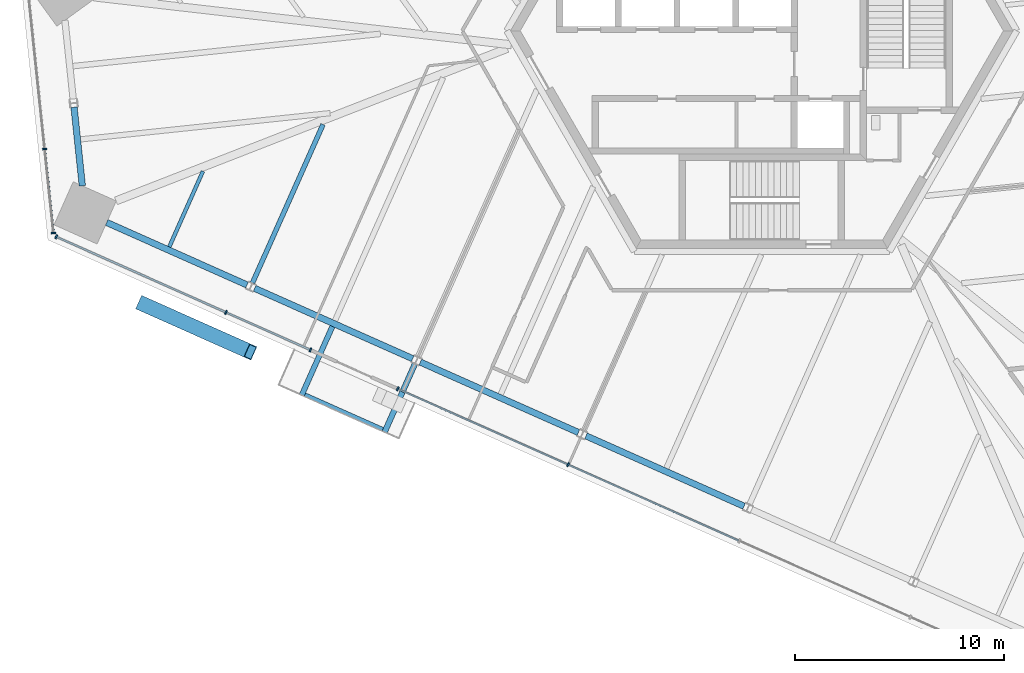
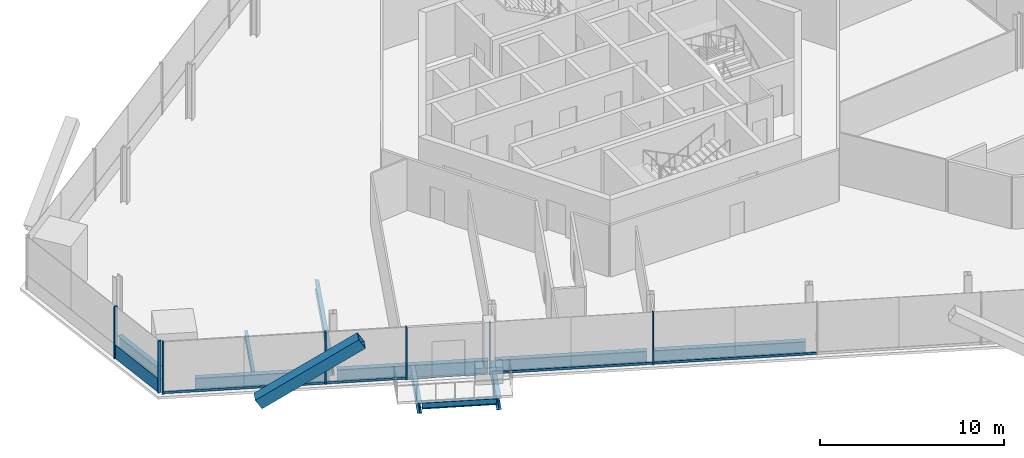
# One storey, part 3 of 17: 13 members, 10 beams, 3 elements without a shape of their own.
"""IFC4 building model written with IfcOpenShell, lengths in metres."""

from ifc_helpers import new_model, si_unit, direction, frame, origin, origin_2d, place, context, subcontext, project, spatial, rectangle, hollow_rectangle, i_section, extrude, source, transform, mapped, material, material_profile, profile_set, type_object, element, aggregate, save


model = new_model("IFC4")

# Units and contexts
model_context = context("Model", 3, precision=1e-05, world=origin(), true_north=direction((0.0, 1.0)))
body_context = subcontext(model_context, "Body", "Model", "MODEL_VIEW")
ifc_project = project(units=[si_unit("LENGTHUNIT", "METRE"), si_unit("AREAUNIT", "SQUARE_METRE"), si_unit("VOLUMEUNIT", "CUBIC_METRE"), si_unit("PLANEANGLEUNIT", "RADIAN"), si_unit("MASSUNIT", "GRAM", prefix="KILO")], contexts=[model_context])

# Site, building, storey
site_placement = place(None, origin())
site = spatial("IfcSite", under=ifc_project, at=site_placement, CompositionType="ELEMENT")
building_placement = place(site_placement, origin())
building = spatial("IfcBuilding", under=site, at=building_placement, Name="Triune Harvest Tower", CompositionType="ELEMENT")
storey_placement = place(building_placement, frame((0.0, 0.0, 62.10009765625)))
storey = spatial("IfcBuildingStorey", under=building, at=storey_placement, Name="L14", CompositionType="ELEMENT", Elevation=62.10009765625)

# Beams
ifc_material_1 = material(Name="Steel ASTM A992 Gr 50", Category="steel")
ifc_material_profile_1 = material_profile(ifc_material_1, i_section(OverallWidth=0.3046875, OverallDepth=0.914306640625, WebThickness=0.0166015625, FlangeThickness=0.02587890625, at=origin_2d()), Name="W36x160")
ifc_profile_set_1 = profile_set([ifc_material_profile_1], Name="Steel ASTM A992 Gr 50")
beam_type_1 = type_object("IfcBeamType", Name="SB-1 Spandrel beam W36x160", PredefinedType="SPANDREL", material=ifc_profile_set_1)
shared_shape_1 = source(origin(), body_context, "Body", "SweptSolid", [
    extrude(i_section(OverallWidth=0.3046875, OverallDepth=0.914306640625, WebThickness=0.0166015625, FlangeThickness=0.02587890625, at=origin_2d()), origin(), (0.0, 0.0, 1.0), 7.337890625),
])
beam_1_placement = place(storey_placement, frame((-31.29150390625, -9.156982421875, -0.6171875), z_axis=(0.913558923036, -0.40670639796, 0.0), x_axis=(0.40670639796, 0.913558923036, 0.0)))
element("IfcBeam", 1, at=beam_1_placement, inside=storey, type_object=beam_type_1, Name="beam/L14/SB17", PredefinedType="SPANDREL", context=body_context, shape_type="MappedRepresentation", body=[
    mapped(shared_shape_1, transform((0.0, 0.0, 0.0), scale=1.0)),
])
shared_shape_2 = source(origin(), body_context, "Body", "SweptSolid", [
    extrude(i_section(OverallWidth=0.3046875, OverallDepth=0.914306640625, WebThickness=0.0166015625, FlangeThickness=0.02587890625, at=origin_2d()), origin(), (0.0, 0.0, 1.0), 8.263427734375),
])
for number, where, z_axis, x_axis, name in (
    (2, (-24.2236328125, -12.3037109375, -0.6171875), (0.913544537455, -0.406738709846, 0.0), (0.406738709846, 0.913544537455, 0.0), "beam/L14/SB18"),
    (3, (-16.310302734375, -15.826904296875, -0.6171875), (0.913544537455, -0.406738709846, 0.0), (0.406738709846, 0.913544537455, 0.0), "beam/L14/SB19"),
    (4, (-8.39697265625, -19.35009765625, -0.6171875), (0.913544537455, -0.406738709846, 0.0), (0.406738709846, 0.913544537455, 0.0), "beam/L14/SB20"),
):
    element("IfcBeam", number, at=place(storey_placement, frame(where, z_axis=z_axis, x_axis=x_axis)), inside=storey, type_object=beam_type_1, Name=name, PredefinedType="SPANDREL", context=body_context, shape_type="MappedRepresentation", body=[
        mapped(shared_shape_2, transform((0.0, 0.0, 0.0), scale=1.0)),
    ])
shared_shape_3 = source(origin(), body_context, "Body", "SweptSolid", [
    extrude(i_section(OverallWidth=0.3046875, OverallDepth=0.914306640625, WebThickness=0.0166015625, FlangeThickness=0.02587890625, at=origin_2d()), origin(), (0.0, 0.0, 1.0), 3.775146484375),
])
beam_2_placement = place(storey_placement, frame((-32.849609375, -3.653076171875, -0.6171875), z_axis=(0.104573690763, -0.994517140727, 0.0), x_axis=(0.994517140727, 0.104573690763, 0.0)))
element("IfcBeam", 5, at=beam_2_placement, inside=storey, type_object=beam_type_1, Name="beam/L14/SB16", PredefinedType="SPANDREL", context=body_context, shape_type="MappedRepresentation", body=[
    mapped(shared_shape_3, transform((0.0, 0.0, 0.0), scale=1.0)),
])
ifc_material_2 = material(Name="Steel ASTM A992 Gr 50", Category="steel")
ifc_material_profile_2 = material_profile(ifc_material_2, i_section(OverallWidth=0.180908203125, OverallDepth=0.41650390625, WebThickness=0.010986328125, FlangeThickness=0.01806640625, at=origin_2d()), Name="W16x57")
ifc_profile_set_2 = profile_set([ifc_material_profile_2], Name="Steel ASTM A992 Gr 50")
beam_type_2 = type_object("IfcBeamType", Name="JT-1 Floor joist W16x57", PredefinedType="JOIST", material=ifc_profile_set_2)
shared_shape_4 = source(origin(), body_context, "Body", "SweptSolid", [
    extrude(i_section(OverallWidth=0.180908203125, OverallDepth=0.41650390625, WebThickness=0.010986328125, FlangeThickness=0.01806640625, at=origin_2d()), origin(), (0.0, 0.0, 1.0), 3.95068359375),
])
beam_3_placement = place(storey_placement, frame((-28.300537109375, -10.32177734375, -0.368408203125), z_axis=(0.406746150359, 0.913541224668, 0.0), x_axis=(-0.913541224668, 0.406746150359, 0.0)))
element("IfcBeam", 6, at=beam_3_placement, inside=storey, type_object=beam_type_2, Name="beam/L14/JT27", PredefinedType="JOIST", context=body_context, shape_type="MappedRepresentation", body=[
    mapped(shared_shape_4, transform((0.0, 0.0, 0.0), scale=1.0)),
])
ifc_material_3 = material(Name="Steel ASTM A992 Gr 50", Category="steel")
ifc_material_profile_3 = material_profile(ifc_material_3, i_section(OverallWidth=0.22900390625, OverallDepth=0.612060546875, WebThickness=0.011962890625, FlangeThickness=0.01953125, at=origin_2d()), Name="W24x84")
ifc_profile_set_3 = profile_set([ifc_material_profile_3], Name="Steel ASTM A992 Gr 50")
beam_type_3 = type_object("IfcBeamType", Name="JT-3 Floor joist W24x84", PredefinedType="JOIST", material=ifc_profile_set_3)
shared_shape_5 = source(origin(), body_context, "Body", "SweptSolid", [
    extrude(i_section(OverallWidth=0.22900390625, OverallDepth=0.612060546875, WebThickness=0.011962890625, FlangeThickness=0.01953125, at=origin_2d()), origin(), (0.0, 0.0, 1.0), 8.28173828125),
])
beam_4_placement = place(storey_placement, frame((-24.32568359375, -12.042724609375, -0.46630859375), z_axis=(0.406731926006, 0.913547557803, 0.0), x_axis=(-0.913547557803, 0.406731926006, 0.0)))
element("IfcBeam", 7, at=beam_4_placement, inside=storey, type_object=beam_type_3, Name="beam/L14/JT28", PredefinedType="JOIST", context=body_context, shape_type="MappedRepresentation", body=[
    mapped(shared_shape_5, transform((0.0, 0.0, 0.0), scale=1.0)),
])

# Member
ifc_material_4 = material(Name="Steel ASTM A572 Gr 50", Category="steel")
ifc_material_profile_4 = material_profile(ifc_material_4, hollow_rectangle(XDim=0.699951171875, YDim=0.699951171875, WallThickness=0.0400390625, at=origin_2d()), Name="Box 700x700x40")
ifc_profile_set_4 = profile_set([ifc_material_profile_4], Name="Steel ASTM A572 Gr 50")
member_type_1 = type_object("IfcMemberType", Name="BR-1 Brace Box 700x700x40", PredefinedType="BRACE", material=ifc_profile_set_4)
shared_shape_6 = source(origin(), body_context, "Body", "SweptSolid", [
    extrude(hollow_rectangle(XDim=0.699951171875, YDim=0.699951171875, WallThickness=0.0400390625, at=origin_2d()), origin(), (0.0, 0.0, 1.0), 6.702392578125),
])
member_1_placement = place(storey_placement, frame((-29.5927734375, -13.038818359375, 0.0), z_axis=(0.770599671069, -0.343063469729, 0.537106695812), x_axis=(0.406707348272, 0.913558499967, 0.0)))
element("IfcMember", 8, at=member_1_placement, inside=storey, type_object=member_type_1, Name="brace/B2-F5/d1/2", PredefinedType="BRACE", context=body_context, shape_type="MappedRepresentation", body=[
    mapped(shared_shape_6, transform((0.0, 0.0, 0.0), scale=1.0)),
])

# Curtain wall, members
ifc_material_5 = material(Name="Aluminium bronze anodised", Category="aluminium")
curtain_wall_type_1 = type_object("IfcCurtainWallType", Name="CW-1 Tower stick curtain wall", PredefinedType="NOTDEFINED", material=ifc_material_5)
curtain_wall_1_placement = place(storey_placement, origin())
curtain_wall_1 = element("IfcCurtainWall", 9, at=curtain_wall_1_placement, inside=storey, type_object=curtain_wall_type_1, Name="CW-1 B2-F4 L14 run 1")
ifc_material_6 = material(Name="Aluminium bronze anodised", Category="aluminium")
ifc_material_profile_5 = material_profile(ifc_material_6, rectangle(XDim=0.199951171875, YDim=0.074951171875, at=origin_2d()), Name="MU-1 mullion 75 x 200")
ifc_profile_set_5 = profile_set([ifc_material_profile_5], Name="Aluminium bronze anodised")
member_type_2 = type_object("IfcMemberType", Name="MU-1 mullion 75 x 200", PredefinedType="MULLION", material=ifc_profile_set_5)
shared_shape_7 = source(origin(), body_context, "Body", "SweptSolid", [
    extrude(rectangle(XDim=0.199951171875, YDim=0.074951171875, at=origin_2d()), origin(), (0.0, 0.0, 1.0), 3.43994140625),
])
member_2_placement = place(storey_placement, frame((-34.25390625, -5.648193359375, 0.0), z_axis=(0.0, 0.0, 1.0), x_axis=(0.994521790334, 0.104529462601, 0.0)))
member_2 = element("IfcMember", 10, at=member_2_placement, type_object=member_type_2, Name="CW-1 mullion B2-F4 1.3", PredefinedType="MULLION", context=body_context, shape_type="MappedRepresentation", body=[
    mapped(shared_shape_7, transform((0.0, 0.0, 0.0), scale=1.0)),
])
member_3_placement = place(storey_placement, frame((-33.83203125, -9.662109375, 0.0), z_axis=(0.0, 0.0, 1.0), x_axis=(0.994521790334, 0.104529462601, 0.0)))
member_3 = element("IfcMember", 11, at=member_3_placement, type_object=member_type_2, Name="CW-1 mullion B2-F4 1.4", PredefinedType="MULLION", context=body_context, shape_type="MappedRepresentation", body=[
    mapped(shared_shape_7, transform((0.0, 0.0, 0.0), scale=1.0)),
])
ifc_material_7 = material(Name="Aluminium bronze anodised", Category="aluminium")
ifc_material_profile_6 = material_profile(ifc_material_7, rectangle(XDim=0.090087890625, YDim=0.89990234375, at=origin_2d()), Name="TR-1 transom 90 x 900")
ifc_profile_set_6 = profile_set([ifc_material_profile_6], Name="Aluminium bronze anodised")
member_type_3 = type_object("IfcMemberType", Name="TR-1 transom 90 x 900", PredefinedType="USERDEFINED", material=ifc_profile_set_6)
shared_shape_8 = source(origin(), body_context, "Body", "SweptSolid", [
    extrude(rectangle(XDim=0.090087890625, YDim=0.89990234375, at=origin_2d()), origin(), (0.0, 0.0, 1.0), 3.9609375),
])
member_4_placement = place(storey_placement, frame((-34.25, -5.685546875, 0.449951171875), z_axis=(0.104537191117, -0.994520977996, 0.0), x_axis=(0.994520977996, 0.104537191117, 0.0)))
member_4 = element("IfcMember", 12, at=member_4_placement, type_object=member_type_3, Name="CW-1 transom B2-F4 1.2", ObjectType="TRANSOM", PredefinedType="USERDEFINED", context=body_context, shape_type="MappedRepresentation", body=[
    mapped(shared_shape_8, transform((0.0, 0.0, 0.0), scale=1.0)),
])
aggregate(curtain_wall_1, [member_2, member_3, member_4])

ifc_material_8 = material(Name="Aluminium bronze anodised", Category="aluminium")
curtain_wall_type_2 = type_object("IfcCurtainWallType", Name="CW-10 Balcony window wall with insulated spandrel infill", PredefinedType="NOTDEFINED", material=ifc_material_8)
curtain_wall_2_placement = place(storey_placement, origin())
curtain_wall_2 = element("IfcCurtainWall", 13, at=curtain_wall_2_placement, inside=storey, type_object=curtain_wall_type_2, Name="CW-10 B2-F5 L14 run 1")
ifc_material_9 = material(Name="Aluminium bronze anodised", Category="aluminium")
ifc_material_profile_7 = material_profile(ifc_material_9, rectangle(XDim=0.199951171875, YDim=0.074951171875, at=origin_2d()), Name="MU-6 mullion 75 x 200")
ifc_profile_set_7 = profile_set([ifc_material_profile_7], Name="Aluminium bronze anodised")
member_type_4 = type_object("IfcMemberType", Name="MU-6 mullion 75 x 200", PredefinedType="MULLION", material=ifc_profile_set_7)
shared_shape_9 = source(origin(), body_context, "Body", "SweptSolid", [
    extrude(rectangle(XDim=0.199951171875, YDim=0.074951171875, at=origin_2d()), origin(), (0.0, 0.0, 1.0), 3.43994140625),
])
member_5_placement = place(storey_placement, frame((-33.7021484375, -9.840576171875, 0.0), z_axis=(0.0, 0.0, 1.0), x_axis=(0.406737205721, 0.913545207137, 0.0)))
member_5 = element("IfcMember", 14, at=member_5_placement, type_object=member_type_4, Name="CW-10 mullion B2-F5 1.1", PredefinedType="MULLION", context=body_context, shape_type="MappedRepresentation", body=[
    mapped(shared_shape_9, transform((0.0, 0.0, 0.0), scale=1.0)),
])
member_6_placement = place(storey_placement, frame((-25.595703125, -13.449951171875, 0.0), z_axis=(0.0, 0.0, 1.0), x_axis=(0.406737205721, 0.913545207137, 0.0)))
member_6 = element("IfcMember", 15, at=member_6_placement, type_object=member_type_4, Name="CW-10 mullion B2-F5 1.3", PredefinedType="MULLION", context=body_context, shape_type="MappedRepresentation", body=[
    mapped(shared_shape_9, transform((0.0, 0.0, 0.0), scale=1.0)),
])
member_7_placement = place(storey_placement, frame((-21.5595703125, -15.246826171875, 0.0), z_axis=(0.0, 0.0, 1.0), x_axis=(0.406737205721, 0.913545207137, 0.0)))
member_7 = element("IfcMember", 16, at=member_7_placement, type_object=member_type_4, Name="CW-10 mullion B2-F5 1.4", PredefinedType="MULLION", context=body_context, shape_type="MappedRepresentation", body=[
    mapped(shared_shape_9, transform((0.0, 0.0, 0.0), scale=1.0)),
])

ifc_material_10 = material(Name="Aluminium bronze anodised", Category="aluminium")
curtain_wall_type_3 = type_object("IfcCurtainWallType", Name="CW-6 Balcony window wall", PredefinedType="NOTDEFINED", material=ifc_material_10)
curtain_wall_3_placement = place(storey_placement, origin())
curtain_wall_3 = element("IfcCurtainWall", 17, at=curtain_wall_3_placement, inside=storey, type_object=curtain_wall_type_3, Name="CW-6 B2-F5 L14 run 2")
member_8_placement = place(storey_placement, frame((-17.393310546875, -17.101806640625, 0.0), z_axis=(0.0, 0.0, 1.0), x_axis=(0.406737205721, 0.913545207137, 0.0)))
member_8 = element("IfcMember", 18, at=member_8_placement, type_object=member_type_4, Name="CW-6 mullion B2-F5 2.1", PredefinedType="MULLION", context=body_context, shape_type="MappedRepresentation", body=[
    mapped(shared_shape_9, transform((0.0, 0.0, 0.0), scale=1.0)),
])
member_9_placement = place(storey_placement, frame((-9.25244140625, -20.726318359375, 0.0), z_axis=(0.0, 0.0, 1.0), x_axis=(0.406737205721, 0.913545207137, 0.0)))
member_9 = element("IfcMember", 19, at=member_9_placement, type_object=member_type_4, Name="CW-6 mullion B2-F5 2.3", PredefinedType="MULLION", context=body_context, shape_type="MappedRepresentation", body=[
    mapped(shared_shape_9, transform((0.0, 0.0, 0.0), scale=1.0)),
])

# Beams
ifc_material_11 = material(Name="Steel ASTM A992 Gr 50", Category="steel")
ifc_material_profile_8 = material_profile(ifc_material_11, i_section(OverallWidth=0.253662109375, OverallDepth=0.683349609375, WebThickness=0.012451171875, FlangeThickness=0.01904296875, at=origin_2d()), Name="W27x94")
ifc_profile_set_8 = profile_set([ifc_material_profile_8], Name="Steel ASTM A992 Gr 50")
beam_type_4 = type_object("IfcBeamType", Name="BJ-4 Balcony cantilever joist W27x94", PredefinedType="JOIST", material=ifc_profile_set_8)
shared_shape_10 = source(origin(), body_context, "Body", "SweptSolid", [
    extrude(i_section(OverallWidth=0.253662109375, OverallDepth=0.683349609375, WebThickness=0.012451171875, FlangeThickness=0.01904296875, at=origin_2d()), origin(), (0.0, 0.0, 1.0), 3.59765625),
])
beam_5_placement = place(storey_placement, frame((-20.510986328125, -14.123291015625, -0.501708984375), z_axis=(-0.406755413658, -0.91353710021, 0.0), x_axis=(0.91353710021, -0.406755413658, 0.0)))
element("IfcBeam", 20, at=beam_5_placement, inside=storey, type_object=beam_type_4, Name="Balcony cantilever joist B2-F5 L14.4a", PredefinedType="JOIST", context=body_context, shape_type="MappedRepresentation", body=[
    mapped(shared_shape_10, transform((0.0, 0.0, 0.0), scale=1.0)),
])
ifc_material_12 = material(Name="Steel ASTM A992 Gr 50", Category="steel")
ifc_material_profile_9 = material_profile(ifc_material_12, i_section(OverallWidth=0.180908203125, OverallDepth=0.41650390625, WebThickness=0.010986328125, FlangeThickness=0.01806640625, at=origin_2d()), Name="W16x57")
ifc_profile_set_9 = profile_set([ifc_material_profile_9], Name="Steel ASTM A992 Gr 50")
beam_type_5 = type_object("IfcBeamType", Name="BE-1 balcony edge beam W16x57", PredefinedType="BEAM", material=ifc_profile_set_9)
shared_shape_11 = source(origin(), body_context, "Body", "SweptSolid", [
    extrude(i_section(OverallWidth=0.180908203125, OverallDepth=0.41650390625, WebThickness=0.010986328125, FlangeThickness=0.01806640625, at=origin_2d()), origin(), (0.0, 0.0, 1.0), 4.07080078125),
])
beam_6_placement = place(storey_placement, frame((-21.821533203125, -17.37890625, -0.368408203125), z_axis=(0.913539292034, -0.406750490978, 0.0), x_axis=(0.406750490978, 0.913539292034, 0.0)))
element("IfcBeam", 21, at=beam_6_placement, inside=storey, type_object=beam_type_5, Name="Balcony edge beam B2-F5 L14.4", PredefinedType="BEAM", context=body_context, shape_type="MappedRepresentation", body=[
    mapped(shared_shape_11, transform((0.0, 0.0, 0.0), scale=1.0)),
])

# Member
ifc_material_13 = material(Name="Aluminium bronze anodised", Category="aluminium")
ifc_material_profile_10 = material_profile(ifc_material_13, rectangle(XDim=0.090087890625, YDim=0.14990234375, at=origin_2d()), Name="TR-6 transom 90 x 150")
ifc_profile_set_10 = profile_set([ifc_material_profile_10], Name="Aluminium bronze anodised")
member_type_5 = type_object("IfcMemberType", Name="TR-6 transom 90 x 150", PredefinedType="USERDEFINED", material=ifc_profile_set_10)
shared_shape_12 = source(origin(), body_context, "Body", "SweptSolid", [
    extrude(rectangle(XDim=0.090087890625, YDim=0.14990234375, at=origin_2d()), origin(), (0.0, 0.0, 1.0), 8.87353515625),
])
member_10_placement = place(storey_placement, frame((-9.21826171875, -20.74169921875, 0.074951171875), z_axis=(0.913549273569, -0.406728072256, 0.0), x_axis=(0.406728072256, 0.913549273569, 0.0)))
member_10 = element("IfcMember", 22, at=member_10_placement, type_object=member_type_5, Name="CW-6 transom B2-F5 2.2", ObjectType="TRANSOM", PredefinedType="USERDEFINED", context=body_context, shape_type="MappedRepresentation", body=[
    mapped(shared_shape_12, transform((0.0, 0.0, 0.0), scale=1.0)),
])

shared_shape_13 = source(origin(), body_context, "Body", "SweptSolid", [
    extrude(rectangle(XDim=0.090087890625, YDim=0.14990234375, at=origin_2d()), origin(), (0.0, 0.0, 1.0), 8.798828125),
])
member_11_placement = place(storey_placement, frame((-33.66796875, -9.85595703125, 0.074951171875), z_axis=(0.913552769807, -0.406720219288, 0.0), x_axis=(0.406720219288, 0.913552769807, 0.0)))
member_11 = element("IfcMember", 23, at=member_11_placement, type_object=member_type_5, Name="CW-10 transom B2-F5 1.1", ObjectType="TRANSOM", PredefinedType="USERDEFINED", context=body_context, shape_type="MappedRepresentation", body=[
    mapped(shared_shape_13, transform((0.0, 0.0, 0.0), scale=1.0)),
])

shared_shape_14 = source(origin(), body_context, "Body", "SweptSolid", [
    extrude(rectangle(XDim=0.090087890625, YDim=0.14990234375, at=origin_2d()), origin(), (0.0, 0.0, 1.0), 4.343017578125),
])
member_12_placement = place(storey_placement, frame((-25.561279296875, -13.465087890625, 0.074951171875), z_axis=(0.913533162076, -0.406764258248, 0.0), x_axis=(0.406764258248, 0.913533162076, 0.0)))
member_12 = element("IfcMember", 24, at=member_12_placement, type_object=member_type_5, Name="CW-10 transom B2-F5 1.2", ObjectType="TRANSOM", PredefinedType="USERDEFINED", context=body_context, shape_type="MappedRepresentation", body=[
    mapped(shared_shape_14, transform((0.0, 0.0, 0.0), scale=1.0)),
])

aggregate(curtain_wall_2, [member_5, member_6, member_7, member_11, member_12])

# Beam
ifc_material_14 = material(Name="Steel ASTM A992 Gr 50", Category="steel")
ifc_material_profile_11 = material_profile(ifc_material_14, i_section(OverallWidth=0.2666015625, OverallDepth=0.7568359375, WebThickness=0.013916015625, FlangeThickness=0.019287109375, at=origin_2d()), Name="W30x108")
ifc_profile_set_11 = profile_set([ifc_material_profile_11], Name="Steel ASTM A992 Gr 50")
beam_type_6 = type_object("IfcBeamType", Name="BJ-5 Balcony cantilever joist W30x108", PredefinedType="JOIST", material=ifc_profile_set_11)
shared_shape_15 = source(origin(), body_context, "Body", "SweptSolid", [
    extrude(i_section(OverallWidth=0.2666015625, OverallDepth=0.7568359375, WebThickness=0.013916015625, FlangeThickness=0.019287109375, at=origin_2d()), origin(), (0.0, 0.0, 1.0), 3.597412109375),
])
beam_7_placement = place(storey_placement, frame((-16.554443359375, -15.885009765625, -0.53857421875), z_axis=(-0.406723993675, -0.913551089414, 0.0), x_axis=(0.913551089414, -0.406723993675, 0.0)))
element("IfcBeam", 25, at=beam_7_placement, inside=storey, type_object=beam_type_6, Name="Balcony cantilever joist B2-F5 L14.4b", PredefinedType="JOIST", context=body_context, shape_type="MappedRepresentation", body=[
    mapped(shared_shape_15, transform((0.0, 0.0, 0.0), scale=1.0)),
])

# Member
shared_shape_16 = source(origin(), body_context, "Body", "SweptSolid", [
    extrude(rectangle(XDim=0.090087890625, YDim=0.14990234375, at=origin_2d()), origin(), (0.0, 0.0, 1.0), 8.8359375),
])
member_13_placement = place(storey_placement, frame((-17.35888671875, -17.1171875, 0.074951171875), z_axis=(0.913541310092, -0.406745958499, 0.0), x_axis=(0.406745958499, 0.913541310092, 0.0)))
member_13 = element("IfcMember", 26, at=member_13_placement, type_object=member_type_5, Name="CW-6 transom B2-F5 2.1", ObjectType="TRANSOM", PredefinedType="USERDEFINED", context=body_context, shape_type="MappedRepresentation", body=[
    mapped(shared_shape_16, transform((0.0, 0.0, 0.0), scale=1.0)),
])

aggregate(curtain_wall_3, [member_8, member_9, member_13, member_10])

save(model, "model.ifc")
